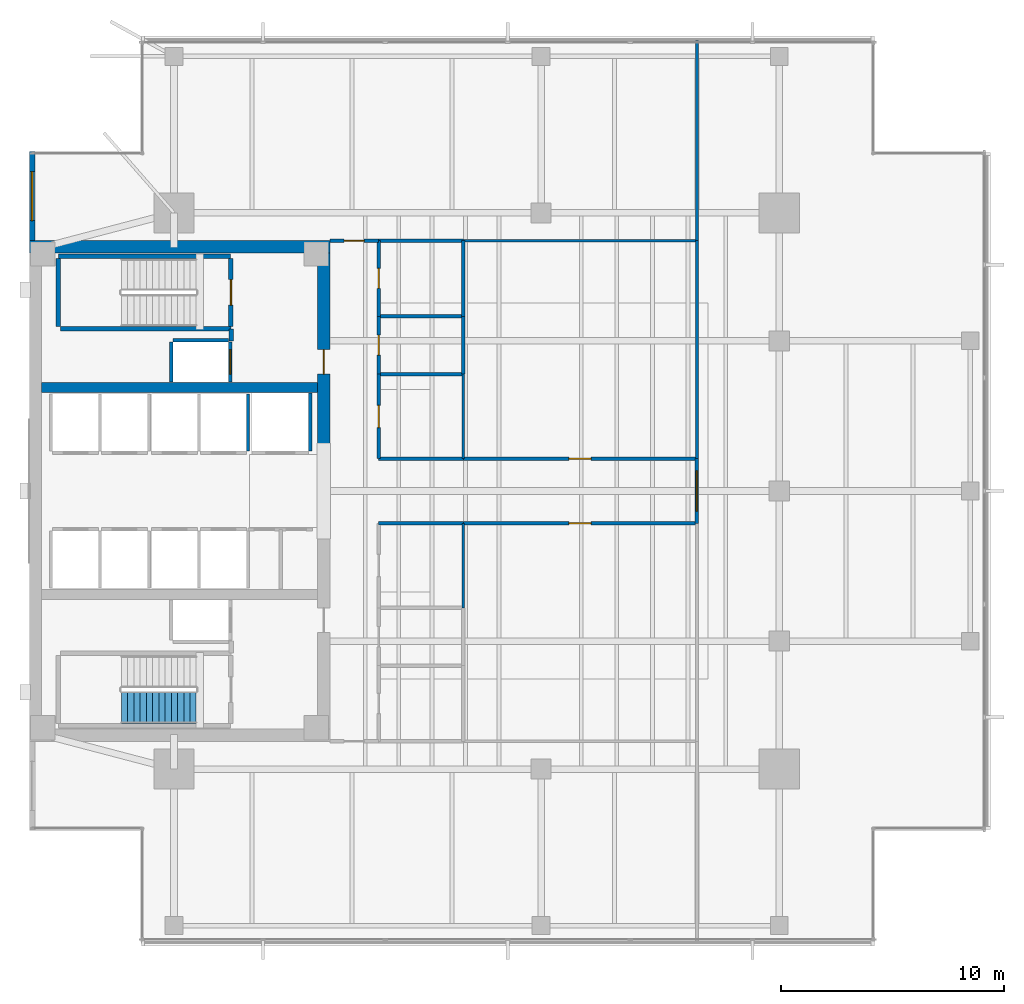
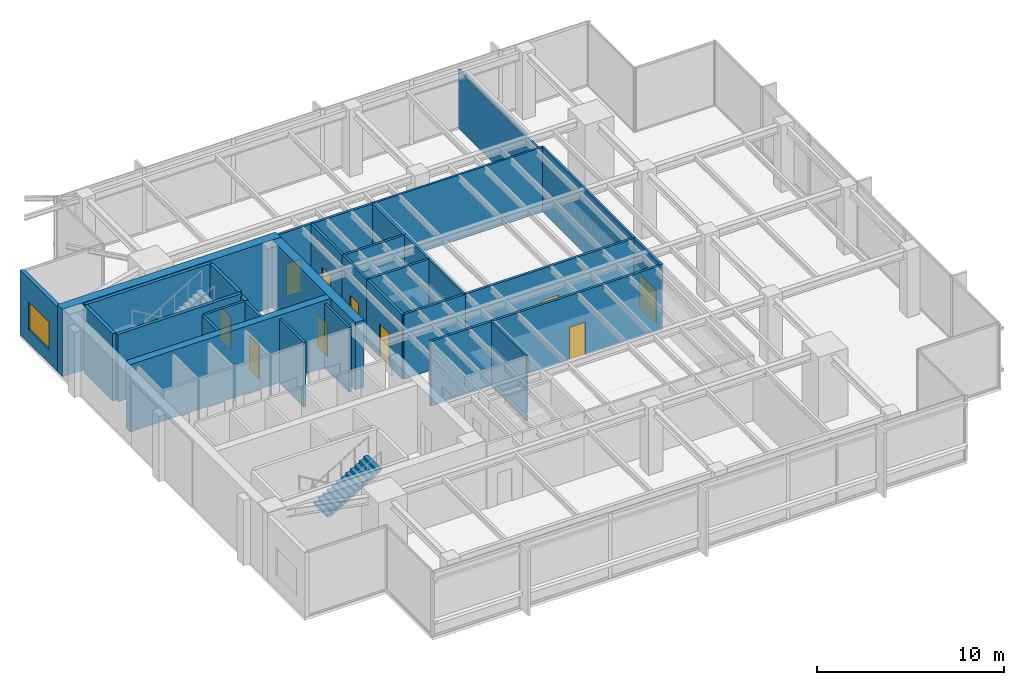
# One storey, part 9 of 14: 33 walls, 10 doors, 1 stair flight, 1 window, 11 openings, 1 element without a shape of its own.
"""IFC4 building model written with IfcOpenShell, lengths in metres."""

import ifcopenshell
import ifcopenshell.guid

model = None  # the IFC model being written
_history = None  # IfcOwnerHistory: only IFC2X3 demands one
_inside = {}  # id of a spatial element -> (the spatial element, [elements in it])
_under = {}  # id of a project, library or spatial element -> (it, [spatial elements below it])
_declared = {}  # id of a project -> (the project, [libraries it declares])
_typed = {}  # id of a type object -> (the type object, [elements of that type])
_made_of = {}  # id of a material, layer set ... -> (it, [elements and type objects made of it])


def new_model(schema):
    """Start an empty IFC model of exactly this schema.

    Asked for "IFC4X3", IfcOpenShell would pick the latest addendum, in which some entities
    have other attributes; the version numbers below select the first issue.
    IFC2X3 requires an IfcOwnerHistory on every rooted entity: one is made here for all.
    """
    global model, _history
    if schema == "IFC4X3":
        model = ifcopenshell.file(schema_version=(4, 3, 0, 0))
    else:
        model = ifcopenshell.file(schema=schema)
    _inside.clear()
    _under.clear()
    _declared.clear()
    _typed.clear()
    _made_of.clear()
    _history = None
    if model.schema == "IFC2X3":
        org = make("IfcOrganization", Name="unknown")
        user = make(
            "IfcPersonAndOrganization",
            ThePerson=make("IfcPerson", FamilyName="unknown"),
            TheOrganization=org,
        )
        app = make(
            "IfcApplication",
            ApplicationDeveloper=org,
            Version="unknown",
            ApplicationFullName="unknown",
            ApplicationIdentifier="unknown",
        )
        _history = make(
            "IfcOwnerHistory",
            OwningUser=user,
            OwningApplication=app,
            ChangeAction="ADDED",
            CreationDate=0,
        )
    return model


def make(cls, **values):
    """One entity of the class cls with the attributes given. An attribute that is None is left unset."""
    return model.create_entity(
        cls, **{name: value for name, value in values.items() if value is not None}
    )


def rooted(cls, **values):
    """An entity with a GlobalId (a new one), such as an element, a storey or a relation."""
    return make(cls, GlobalId=ifcopenshell.guid.new(), OwnerHistory=_history, **values)


def si_unit(unit_type, name, prefix=None):
    """IfcSIUnit, for example si_unit("LENGTHUNIT", "METRE", prefix="MILLI")."""
    return make("IfcSIUnit", UnitType=unit_type, Prefix=prefix, Name=name)


def assignment(units):
    """IfcUnitAssignment: the units of a project."""
    return None if units is None else make("IfcUnitAssignment", Units=units)


def point(xyz):
    """IfcCartesianPoint."""
    return None if xyz is None else make("IfcCartesianPoint", Coordinates=xyz)


def direction(xyz):
    """IfcDirection."""
    return None if xyz is None else make("IfcDirection", DirectionRatios=xyz)


def frame(location, z_axis=None, x_axis=None):
    """IfcAxis2Placement3D, a coordinate frame: its origin and axes. An axis left out is left unset."""
    return make(
        "IfcAxis2Placement3D",
        Location=point(location),
        Axis=direction(z_axis),
        RefDirection=direction(x_axis),
    )


def frame_2d(location, x_axis=None):
    """IfcAxis2Placement2D, a coordinate frame in the plane: its origin and x axis."""
    return make(
        "IfcAxis2Placement2D", Location=point(location), RefDirection=direction(x_axis)
    )


def origin():
    """The frame at (0, 0, 0) with its axes left unset."""
    return frame((0.0, 0.0, 0.0))


def place(relative_to, where):
    """IfcLocalPlacement: puts the frame where relative to a parent placement (None: the world)."""
    return make(
        "IfcLocalPlacement", PlacementRelTo=relative_to, RelativePlacement=where
    )


def context(
    kind, dimensions, precision=None, world=None, true_north=None, identifier=None
):
    """IfcGeometricRepresentationContext, for example the 3D "Model" context."""
    return make(
        "IfcGeometricRepresentationContext",
        ContextIdentifier=identifier,
        ContextType=kind,
        CoordinateSpaceDimension=dimensions,
        Precision=precision,
        WorldCoordinateSystem=world,
        TrueNorth=true_north,
    )


def subcontext(parent, identifier, kind, view, scale=None):
    """IfcGeometricRepresentationSubContext, for example "Body" below "Model"."""
    return make(
        "IfcGeometricRepresentationSubContext",
        ContextIdentifier=identifier,
        ContextType=kind,
        ParentContext=parent,
        TargetScale=scale,
        TargetView=view,
    )


def project(units=None, contexts=None):
    """IfcProject with its units and contexts."""
    return rooted(
        "IfcProject",
        Name="project",
        RepresentationContexts=contexts,
        UnitsInContext=assignment(units),
    )


def spatial(cls, under=None, at=None, **own):
    """A site, building, storey or space (cls), placed at a placement, below another one or the project."""
    s = rooted(cls, ObjectPlacement=at, **own)
    if under is not None:
        _under.setdefault(under.id(), (under, []))[1].append(s)
    return s


def polyline(points):
    """IfcPolyline through the points."""
    return make("IfcPolyline", Points=[point(p) for p in points])


def profile(cls, at=None, kind="AREA", **sizes):
    """A parametric profile (cls). Its sizes go by their IFC names, for example OverallWidth=200.0."""
    return make(cls, ProfileType=kind, Position=at, **sizes)


def rectangle(**sizes):
    """IfcRectangleProfileDef."""
    return profile("IfcRectangleProfileDef", **sizes)


def outline(outer, holes=None, kind="AREA"):
    """IfcArbitraryClosedProfileDef: a profile drawn as a closed curve; with holes, ...WithVoids."""
    if holes is None:
        return make("IfcArbitraryClosedProfileDef", ProfileType=kind, OuterCurve=outer)
    return make(
        "IfcArbitraryProfileDefWithVoids",
        ProfileType=kind,
        OuterCurve=outer,
        InnerCurves=holes,
    )


def extrude(swept, where, along, depth):
    """IfcExtrudedAreaSolid: the profile swept, set in the frame where, extruded along a direction by depth."""
    return make(
        "IfcExtrudedAreaSolid",
        SweptArea=swept,
        Position=where,
        ExtrudedDirection=direction(along),
        Depth=depth,
    )


def shape(context_of_items, identifier, shape_type, items):
    """IfcShapeRepresentation: the items that make up one representation, for example the "Body"."""
    return make(
        "IfcShapeRepresentation",
        ContextOfItems=context_of_items,
        RepresentationIdentifier=identifier,
        RepresentationType=shape_type,
        Items=items,
    )


def material(Name=None, Category=None):
    """IfcMaterial."""
    return make("IfcMaterial", Name=Name, Category=Category)


def layer(
    of_material, thickness, ventilated=None, Name=None, Category=None, Priority=None
):
    """IfcMaterialLayer: one layer of a wall or slab, of a material (None: an air gap)."""
    return make(
        "IfcMaterialLayer",
        Material=of_material,
        LayerThickness=thickness,
        IsVentilated=ventilated,
        Name=Name,
        Category=Category,
        Priority=Priority,
    )


def layer_set(layers, Name=None):
    """IfcMaterialLayerSet."""
    return make("IfcMaterialLayerSet", MaterialLayers=layers, LayerSetName=Name)


def made_of(thing, what):
    """Note that an element or type object is made of a material, layer set ...; save() writes the relation."""
    if what is not None:
        _made_of.setdefault(what.id(), (what, []))[1].append(thing)
    return thing


def type_object(cls, material=None, **own):
    """A type object (cls), such as IfcWallType, which elements share."""
    return made_of(rooted(cls, **own), material)


def element(
    cls,
    number,
    at=None,
    inside=None,
    cuts=None,
    type_object=None,
    material=None,
    context=None,
    identifier="Body",
    shape_type=None,
    held_by="IfcProductDefinitionShape",
    body=None,
    shapes=None,
    **own,
):
    """One element of the class cls, such as IfcWall. Its Tag is "e" and its number.

    at: its placement. inside: the storey or other place that contains it. cuts: it is an
    opening in that element (IfcRelVoidsElement). A single representation is given by context,
    identifier, shape_type and body (its items); several are given by shapes. held_by: the class
    of the entity that holds the representations. save() writes the other relations.
    """
    e = rooted(cls, Tag="e%d" % number, ObjectPlacement=at, **own)
    if body is not None:
        shapes = [shape(context, identifier, shape_type, body)]
    if shapes is not None:
        e.Representation = make(held_by, Representations=shapes)
    if inside is not None:
        _inside.setdefault(inside.id(), (inside, []))[1].append(e)
    if cuts is not None:
        rooted(
            "IfcRelVoidsElement", RelatingBuildingElement=cuts, RelatedOpeningElement=e
        )
    if type_object is not None:
        _typed.setdefault(type_object.id(), (type_object, []))[1].append(e)
    return made_of(e, material)


def fill(opening, filler):
    """IfcRelFillsElement: the door or window that sits in an opening."""
    return rooted(
        "IfcRelFillsElement",
        RelatingOpeningElement=opening,
        RelatedBuildingElement=filler,
    )


def aggregate(whole, parts):
    """IfcRelAggregates: a whole, such as a stair, and the parts it consists of."""
    return rooted("IfcRelAggregates", RelatingObject=whole, RelatedObjects=parts)


def save(model, path):
    """Write the relations noted so far, then the file.

    IfcRelAggregates (storeys below a building ...), IfcRelContainedInSpatialStructure (elements
    in a storey), IfcRelDefinesByType, IfcRelAssociatesMaterial and IfcRelDeclares: one each for
    every whole, place, type object, material and project.
    """
    for whole, parts in _under.values():
        aggregate(whole, parts)
    for where, things in _inside.values():
        rooted(
            "IfcRelContainedInSpatialStructure",
            RelatedElements=things,
            RelatingStructure=where,
        )
    for kind, things in _typed.values():
        rooted("IfcRelDefinesByType", RelatedObjects=things, RelatingType=kind)
    for what, things in _made_of.values():
        rooted("IfcRelAssociatesMaterial", RelatedObjects=things, RelatingMaterial=what)
    for by, libraries in _declared.values():
        rooted("IfcRelDeclares", RelatingContext=by, RelatedDefinitions=libraries)
    model.write(path)


model = new_model("IFC4")

# Units and contexts
model_context = context("Model", 3, precision=1e-05, world=origin(), true_north=direction((0.0, 1.0)))
body_context = subcontext(model_context, "Body", "Model", "MODEL_VIEW")
ifc_project = project(units=[si_unit("LENGTHUNIT", "METRE"), si_unit("AREAUNIT", "SQUARE_METRE"), si_unit("VOLUMEUNIT", "CUBIC_METRE"), si_unit("PLANEANGLEUNIT", "RADIAN"), si_unit("MASSUNIT", "GRAM", prefix="KILO")], contexts=[model_context])

# Site, building, storey
site_placement = place(None, origin())
site = spatial("IfcSite", under=ifc_project, at=site_placement, CompositionType="ELEMENT")
building_placement = place(site_placement, origin())
building = spatial("IfcBuilding", under=site, at=building_placement, Name="Kinhvarn Gate Tower", CompositionType="ELEMENT")
storey_placement = place(building_placement, frame((0.0, 0.0, 183.64990234375)))
storey = spatial("IfcBuildingStorey", under=building, at=storey_placement, Name="L48", CompositionType="ELEMENT", Elevation=183.64990234375)

# Walls
ifc_material_1 = material(Name="Concrete C50/60", Category="concrete")
ifc_layer_1 = layer(ifc_material_1, 0.449951171875)
ifc_layer_set_1 = layer_set([ifc_layer_1], Name="Concrete C50/60")
wall_type_1 = type_object("IfcWallType", Name="WL-CORE-450", PredefinedType="SHEAR", material=ifc_layer_set_1)
wall_1_placement = place(storey_placement, frame((5.050048828125, 29.89990234375, 0.0), z_axis=(0.0, 0.0, 1.0), x_axis=(1.0, 0.0, 0.0)))
element("IfcWall", 1, at=wall_1_placement, inside=storey, type_object=wall_type_1, Name="Core North Spine Shear Wall L48 450 mm", PredefinedType="SHEAR", context=body_context, shape_type="SweptSolid", body=[
    extrude(rectangle(XDim=12.39990234375, YDim=0.449951171875, at=frame_2d((6.199951171875, 0.0))), origin(), (0.0, 0.0, 1.0), 4.400146484375),
])
ifc_material_2 = material(Name="Concrete C60/75", Category="concrete")
ifc_layer_2 = layer(ifc_material_2, 0.550048828125)
ifc_layer_set_2 = layer_set([ifc_layer_2], Name="Concrete C60/75")
wall_type_2 = type_object("IfcWallType", Name="WL-CORE-550", PredefinedType="SHEAR", material=ifc_layer_set_2)
wall_2_placement = place(storey_placement, frame((4.5, 36.22509765625, 0.0), z_axis=(0.0, 0.0, 1.0), x_axis=(1.0, 0.0, 0.0)))
element("IfcWall", 2, at=wall_2_placement, inside=storey, type_object=wall_type_2, Name="Core North Shear Wall L48 550 mm", PredefinedType="SHEAR", context=body_context, shape_type="SweptSolid", body=[
    extrude(rectangle(XDim=13.5, YDim=0.550048828125, at=frame_2d((6.75, 0.0))), origin(), (0.0, 0.0, 1.0), 4.400146484375),
])

# Wall, opening, door
wall_3_placement = place(storey_placement, frame((17.72509765625, 27.050048828125, 0.0), z_axis=(0.0, 0.0, 1.0), x_axis=(0.0, 1.0, 0.0)))
wall_3 = element("IfcWall", 3, at=wall_3_placement, inside=storey, type_object=wall_type_2, Name="Core East-North Shear Pier L48 550 mm", PredefinedType="SHEAR", context=body_context, shape_type="SweptSolid", body=[
    extrude(rectangle(XDim=8.89990234375, YDim=0.550048828125, at=frame_2d((4.449951171875, 0.0))), origin(), (0.0, 0.0, 1.0), 4.400146484375),
])
opening_1_placement = place(wall_3_placement, frame((3.449951171875, 0.0, 0.0)))
opening_1 = element("IfcOpeningElement", 4, at=opening_1_placement, cuts=wall_3, Name="Opening FD-02", PredefinedType="OPENING", context=body_context, shape_type="SweptSolid", body=[
    extrude(rectangle(XDim=1.10009765625, YDim=2.14990234375, at=frame_2d((0.550048828125, 1.074951171875))), frame((0.0, 0.28515625, 0.0), z_axis=(0.0, -1.0, 0.0), x_axis=(1.0, 0.0, 0.0)), (0.0, 0.0, 1.0), 0.570068359375),
])
ifc_material_3 = material(Name="Anodised aluminium AW-6063", Category="aluminium")
door_type_1 = type_object("IfcDoorType", Name="DR-FD-1100", OperationType="NOTDEFINED", PredefinedType="DOOR", material=ifc_material_3)
door_1_placement = place(opening_1_placement, origin())
door_1 = element("IfcDoor", 5, at=door_1_placement, inside=storey, type_object=door_type_1, Name="Firefighting Lobby Core Door (L48)", OperationType="SINGLE_SWING_LEFT", OverallHeight=2.14990234375, OverallWidth=1.10009765625, PredefinedType="DOOR", context=body_context, shape_type="SweptSolid", body=[
    extrude(rectangle(XDim=1.10009765625, YDim=2.14990234375, at=frame_2d((0.550048828125, 1.074951171875))), frame((0.0, 0.02490234375, 0.0), z_axis=(0.0, -1.0, 0.0), x_axis=(1.0, 0.0, 0.0)), (0.0, 0.0, 1.0), 0.050048828125),
])
fill(opening_1, door_1)

# Wall, opening, window
ifc_material_4 = material(Name="Fired architectural terracotta", Category="masonry")
ifc_layer_3 = layer(ifc_material_4, 0.25)
ifc_layer_set_3 = layer_set([ifc_layer_3], Name="Fired architectural terracotta")
wall_type_3 = type_object("IfcWallType", Name="WL-EXT-250", PredefinedType="SOLIDWALL", material=ifc_layer_set_3)
wall_4_placement = place(storey_placement, frame((4.625, 40.5, 0.0), z_axis=(0.0, 0.0, 1.0), x_axis=(0.0, -1.0, 0.0)))
wall_4 = element("IfcWall", 6, at=wall_4_placement, inside=storey, type_object=wall_type_3, Name="Exterior Solidwall Wall EW-250 (L48 West-North)", PredefinedType="SOLIDWALL", context=body_context, shape_type="SweptSolid", body=[
    extrude(rectangle(XDim=4.0, YDim=0.25, at=frame_2d((2.0, 0.0))), origin(), (0.0, 0.0, 1.0), 4.22021484375),
])
opening_2_placement = place(wall_4_placement, frame((0.89990234375, 0.0, 0.89990234375)))
opening_2 = element("IfcOpeningElement", 7, at=opening_2_placement, cuts=wall_4, Name="Opening WN-01", PredefinedType="OPENING", context=body_context, shape_type="SweptSolid", body=[
    extrude(rectangle(XDim=2.199951171875, YDim=1.800048828125, at=frame_2d((1.10009765625, 0.89990234375))), frame((0.0, 0.135009765625, 0.0), z_axis=(0.0, -1.0, 0.0), x_axis=(1.0, 0.0, 0.0)), (0.0, 0.0, 1.0), 0.27001953125),
])
ifc_material_5 = material(Name="Clear low-e double glazing", Category="glass")
window_type = type_object("IfcWindowType", Name="WIN-RIB-2200", PartitioningType="SINGLE_PANEL", PredefinedType="WINDOW", material=ifc_material_5)
window_placement = place(opening_2_placement, origin())
window = element("IfcWindow", 8, at=window_placement, inside=storey, type_object=window_type, Name="West Flank Double-Glazed Ribbon Window 2200x1800 mm (L48)", OverallHeight=1.800048828125, OverallWidth=2.199951171875, PartitioningType="SINGLE_PANEL", PredefinedType="WINDOW", context=body_context, shape_type="SweptSolid", body=[
    extrude(rectangle(XDim=2.199951171875, YDim=1.800048828125, at=frame_2d((1.10009765625, 0.89990234375))), frame((0.0, 0.030029296875, 0.0), z_axis=(0.0, -1.0, 0.0), x_axis=(1.0, 0.0, 0.0)), (0.0, 0.0, 1.0), 0.06005859375),
])
fill(opening_2, window)

# Walls
ifc_material_6 = material(Name="Gypsum acoustic partition board")
ifc_layer_4 = layer(ifc_material_6, 0.14990234375)
ifc_layer_set_4 = layer_set([ifc_layer_4], Name="Gypsum acoustic partition board")
wall_type_4 = type_object("IfcWallType", Name="WL-PLM-150", PredefinedType="PLUMBINGWALL", material=ifc_layer_set_4)
for number, where, z_axis, x_axis, name in (
    (9, (20.199951171875, 33.10009765625, 0.0), (0.0, 0.0, 1.0), (1.0, 0.0, 0.0), "Interior Partition PLW-150 (L48)"),
    (10, (20.199951171875, 36.5, 0.0), (0.0, 0.0, 1.0), (1.0, 0.0, 0.0), "Interior Partition PLW-150 (L48)"),
):
    element("IfcWall", number, at=place(storey_placement, frame(where, z_axis=z_axis, x_axis=x_axis)), inside=storey, type_object=wall_type_4, Name=name, PredefinedType="PLUMBINGWALL", context=body_context, shape_type="SweptSolid", body=[
        extrude(rectangle(XDim=3.800048828125, YDim=0.14990234375, at=frame_2d((1.89990234375, 0.0))), origin(), (0.0, 0.0, 1.0), 4.22021484375),
    ])
wall_5_placement = place(storey_placement, frame((24.0, 33.10009765625, 0.0), z_axis=(0.0, 0.0, 1.0), x_axis=(0.0, 1.0, 0.0)))
element("IfcWall", 11, at=wall_5_placement, inside=storey, type_object=wall_type_4, Name="Interior Partition PLW-150 (L48)", PredefinedType="PLUMBINGWALL", context=body_context, shape_type="SweptSolid", body=[
    extrude(rectangle(XDim=3.39990234375, YDim=0.14990234375, at=frame_2d((1.699951171875, 0.0))), origin(), (0.0, 0.0, 1.0), 4.22021484375),
])
wall_6_placement = place(storey_placement, frame((24.0, 30.5, 0.0), z_axis=(0.0, 0.0, 1.0), x_axis=(0.0, 1.0, 0.0)))
element("IfcWall", 12, at=wall_6_placement, inside=storey, type_object=wall_type_4, Name="Interior Partition PLW-150 (L48)", PredefinedType="PLUMBINGWALL", context=body_context, shape_type="SweptSolid", body=[
    extrude(rectangle(XDim=2.60009765625, YDim=0.14990234375, at=frame_2d((1.300048828125, 0.0))), origin(), (0.0, 0.0, 1.0), 4.22021484375),
])
wall_7_placement = place(storey_placement, frame((20.199951171875, 30.5, 0.0), z_axis=(0.0, 0.0, 1.0), x_axis=(1.0, 0.0, 0.0)))
element("IfcWall", 13, at=wall_7_placement, inside=storey, type_object=wall_type_4, Name="Interior Partition PLW-150 (L48)", PredefinedType="PLUMBINGWALL", context=body_context, shape_type="SweptSolid", body=[
    extrude(rectangle(XDim=3.800048828125, YDim=0.14990234375, at=frame_2d((1.89990234375, 0.0))), origin(), (0.0, 0.0, 1.0), 4.22021484375),
])

# Wall, opening, door
ifc_layer_5 = layer(ifc_material_6, 0.14990234375)
ifc_layer_set_5 = layer_set([ifc_layer_5], Name="Gypsum acoustic partition board")
wall_type_5 = type_object("IfcWallType", Name="WL-PLM-150F", PredefinedType="PLUMBINGWALL", material=ifc_layer_set_5)
wall_8_placement = place(storey_placement, frame((20.199951171875, 33.10009765625, 0.0), z_axis=(0.0, 0.0, 1.0), x_axis=(0.0, 1.0, 0.0)))
wall_8 = element("IfcWall", 14, at=wall_8_placement, inside=storey, type_object=wall_type_5, Name="Interior Partition PLW-150F (L48)", PredefinedType="PLUMBINGWALL", context=body_context, shape_type="SweptSolid", body=[
    extrude(rectangle(XDim=3.39990234375, YDim=0.14990234375, at=frame_2d((1.699951171875, 0.0))), origin(), (0.0, 0.0, 1.0), 4.22021484375),
])
opening_3_placement = place(wall_8_placement, frame((1.25, 0.0, 0.0)))
opening_3 = element("IfcOpeningElement", 15, at=opening_3_placement, cuts=wall_8, Name="Opening FD-04", PredefinedType="OPENING", context=body_context, shape_type="SweptSolid", body=[
    extrude(rectangle(XDim=0.89990234375, YDim=2.10009765625, at=frame_2d((0.449951171875, 1.050048828125))), frame((0.0, 0.0849609375, 0.0), z_axis=(0.0, -1.0, 0.0), x_axis=(1.0, 0.0, 0.0)), (0.0, 0.0, 1.0), 0.169921875),
])
door_type_2 = type_object("IfcDoorType", Name="DR-FD-900", OperationType="NOTDEFINED", PredefinedType="DOOR", material=ifc_material_3)
door_2_placement = place(opening_3_placement, origin())
door_2 = element("IfcDoor", 16, at=door_2_placement, inside=storey, type_object=door_type_2, Name="Rated Riser & Service Closet Fire Door 900x2100 mm (L48)", OperationType="SINGLE_SWING_RIGHT", OverallHeight=2.10009765625, OverallWidth=0.89990234375, PredefinedType="DOOR", context=body_context, shape_type="SweptSolid", body=[
    extrude(rectangle(XDim=0.89990234375, YDim=2.10009765625, at=frame_2d((0.449951171875, 1.050048828125))), frame((0.0, 0.02490234375, 0.0), z_axis=(0.0, -1.0, 0.0), x_axis=(1.0, 0.0, 0.0)), (0.0, 0.0, 1.0), 0.050048828125),
])
fill(opening_3, door_2)

wall_9_placement = place(storey_placement, frame((20.199951171875, 30.5, 0.0), z_axis=(0.0, 0.0, 1.0), x_axis=(0.0, 1.0, 0.0)))
wall_9 = element("IfcWall", 17, at=wall_9_placement, inside=storey, type_object=wall_type_5, Name="Interior Partition PLW-150F (L48)", PredefinedType="PLUMBINGWALL", context=body_context, shape_type="SweptSolid", body=[
    extrude(rectangle(XDim=2.60009765625, YDim=0.14990234375, at=frame_2d((1.300048828125, 0.0))), origin(), (0.0, 0.0, 1.0), 4.22021484375),
])
opening_4_placement = place(wall_9_placement, frame((0.85009765625, 0.0, 0.0)))
opening_4 = element("IfcOpeningElement", 18, at=opening_4_placement, cuts=wall_9, Name="Opening FD-04", PredefinedType="OPENING", context=body_context, shape_type="SweptSolid", body=[
    extrude(rectangle(XDim=0.89990234375, YDim=2.10009765625, at=frame_2d((0.449951171875, 1.050048828125))), frame((0.0, 0.0849609375, 0.0), z_axis=(0.0, -1.0, 0.0), x_axis=(1.0, 0.0, 0.0)), (0.0, 0.0, 1.0), 0.169921875),
])
door_3_placement = place(opening_4_placement, origin())
door_3 = element("IfcDoor", 19, at=door_3_placement, inside=storey, type_object=door_type_2, Name="Rated Riser & Service Closet Fire Door 900x2100 mm (L48)", OperationType="SINGLE_SWING_RIGHT", OverallHeight=2.10009765625, OverallWidth=0.89990234375, PredefinedType="DOOR", context=body_context, shape_type="SweptSolid", body=[
    extrude(rectangle(XDim=0.89990234375, YDim=2.10009765625, at=frame_2d((0.449951171875, 1.050048828125))), frame((0.0, 0.02490234375, 0.0), z_axis=(0.0, -1.0, 0.0), x_axis=(1.0, 0.0, 0.0)), (0.0, 0.0, 1.0), 0.050048828125),
])
fill(opening_4, door_3)

# Walls
ifc_layer_6 = layer(ifc_material_6, 0.1201171875)
ifc_layer_set_6 = layer_set([ifc_layer_6], Name="Gypsum acoustic partition board")
wall_type_6 = type_object("IfcWallType", Name="WL-PRT-120", PredefinedType="PARTITIONING", material=ifc_layer_set_6)
wall_10_placement = place(storey_placement, frame((24.0, 36.5, 0.0), z_axis=(0.0, 0.0, 1.0), x_axis=(1.0, 0.0, 0.0)))
element("IfcWall", 20, at=wall_10_placement, inside=storey, type_object=wall_type_6, Name="Interior Partition PW-120 (L48)", PredefinedType="PARTITIONING", context=body_context, shape_type="SweptSolid", body=[
    extrude(rectangle(XDim=10.5, YDim=0.1201171875, at=frame_2d((5.25, 0.0))), origin(), (0.0, 0.0, 1.0), 4.22021484375),
])
wall_11_placement = place(storey_placement, frame((34.5, 36.5, 0.0), z_axis=(0.0, 0.0, 1.0), x_axis=(0.0, 1.0, 0.0)))
element("IfcWall", 21, at=wall_11_placement, inside=storey, type_object=wall_type_6, Name="Interior Partition PW-120 (L48)", PredefinedType="PARTITIONING", context=body_context, shape_type="SweptSolid", body=[
    extrude(rectangle(XDim=8.989990234375, YDim=0.1201171875, at=frame_2d((4.4951171875, 0.0))), origin(), (0.0, 0.0, 1.0), 3.860107421875),
])
wall_12_placement = place(storey_placement, frame((24.0, 20.0, 0.0), z_axis=(0.0, 0.0, 1.0), x_axis=(0.0, 1.0, 0.0)))
element("IfcWall", 22, at=wall_12_placement, inside=storey, type_object=wall_type_6, Name="Interior Partition PW-120 (L48)", PredefinedType="PARTITIONING", context=body_context, shape_type="SweptSolid", body=[
    extrude(rectangle(XDim=3.800048828125, YDim=0.1201171875, at=frame_2d((1.89990234375, 0.0))), origin(), (0.0, 0.0, 1.0), 4.22021484375),
])
wall_13_placement = place(storey_placement, frame((34.5, 26.699951171875, 0.0), z_axis=(0.0, 0.0, 1.0), x_axis=(0.0, 1.0, 0.0)))
element("IfcWall", 23, at=wall_13_placement, inside=storey, type_object=wall_type_6, Name="Interior Partition PW-120 (L48)", PredefinedType="PARTITIONING", context=body_context, shape_type="SweptSolid", body=[
    extrude(rectangle(XDim=9.800048828125, YDim=0.1201171875, at=frame_2d((4.89990234375, 0.0))), origin(), (0.0, 0.0, 1.0), 4.22021484375),
])
wall_14_placement = place(storey_placement, frame((24.0, 26.699951171875, 0.0), z_axis=(0.0, 0.0, 1.0), x_axis=(0.0, 1.0, 0.0)))
element("IfcWall", 24, at=wall_14_placement, inside=storey, type_object=wall_type_6, Name="Interior Partition PW-120 (L48)", PredefinedType="PARTITIONING", context=body_context, shape_type="SweptSolid", body=[
    extrude(rectangle(XDim=3.800048828125, YDim=0.1201171875, at=frame_2d((1.89990234375, 0.0))), origin(), (0.0, 0.0, 1.0), 4.22021484375),
])

# Wall, opening, door
ifc_layer_7 = layer(ifc_material_6, 0.14990234375)
ifc_layer_set_7 = layer_set([ifc_layer_7], Name="Gypsum acoustic partition board")
wall_type_7 = type_object("IfcWallType", Name="WL-PRT-150F", PredefinedType="PARTITIONING", material=ifc_layer_set_7)
wall_15_placement = place(storey_placement, frame((18.0, 36.5, 0.0), z_axis=(0.0, 0.0, 1.0), x_axis=(1.0, 0.0, 0.0)))
wall_15 = element("IfcWall", 25, at=wall_15_placement, inside=storey, type_object=wall_type_7, Name="Interior Partition PW-150F (L48)", PredefinedType="PARTITIONING", context=body_context, shape_type="SweptSolid", body=[
    extrude(rectangle(XDim=2.199951171875, YDim=0.14990234375, at=frame_2d((1.10009765625, 0.0))), origin(), (0.0, 0.0, 1.0), 4.22021484375),
])
opening_5_placement = place(wall_15_placement, frame((0.64990234375, 0.0, 0.0)))
opening_5 = element("IfcOpeningElement", 26, at=opening_5_placement, cuts=wall_15, Name="Opening ID-03", PredefinedType="OPENING", context=body_context, shape_type="SweptSolid", body=[
    extrude(rectangle(XDim=0.89990234375, YDim=2.10009765625, at=frame_2d((0.449951171875, 1.050048828125))), frame((0.0, 0.0849609375, 0.0), z_axis=(0.0, -1.0, 0.0), x_axis=(1.0, 0.0, 0.0)), (0.0, 0.0, 1.0), 0.169921875),
])
door_type_3 = type_object("IfcDoorType", Name="DR-INT-900", OperationType="NOTDEFINED", PredefinedType="DOOR", material=ifc_material_3)
door_4_placement = place(opening_5_placement, origin())
door_4 = element("IfcDoor", 27, at=door_4_placement, inside=storey, type_object=door_type_3, Name="Cellular Office & Restroom Door 900x2100 mm (L48)", OperationType="SINGLE_SWING_RIGHT", OverallHeight=2.10009765625, OverallWidth=0.89990234375, PredefinedType="DOOR", context=body_context, shape_type="SweptSolid", body=[
    extrude(rectangle(XDim=0.89990234375, YDim=2.10009765625, at=frame_2d((0.449951171875, 1.050048828125))), frame((0.0, 0.02490234375, 0.0), z_axis=(0.0, -1.0, 0.0), x_axis=(1.0, 0.0, 0.0)), (0.0, 0.0, 1.0), 0.050048828125),
])
fill(opening_5, door_4)

wall_16_placement = place(storey_placement, frame((20.199951171875, 26.699951171875, 0.0), z_axis=(0.0, 0.0, 1.0), x_axis=(0.0, 1.0, 0.0)))
wall_16 = element("IfcWall", 28, at=wall_16_placement, inside=storey, type_object=wall_type_7, Name="Interior Partition PW-150F (L48)", PredefinedType="PARTITIONING", context=body_context, shape_type="SweptSolid", body=[
    extrude(rectangle(XDim=3.800048828125, YDim=0.14990234375, at=frame_2d((1.89990234375, 0.0))), origin(), (0.0, 0.0, 1.0), 4.22021484375),
])
opening_6_placement = place(wall_16_placement, frame((1.39990234375, 0.0, 0.0)))
opening_6 = element("IfcOpeningElement", 29, at=opening_6_placement, cuts=wall_16, Name="Opening ID-02", PredefinedType="OPENING", context=body_context, shape_type="SweptSolid", body=[
    extrude(rectangle(XDim=1.0, YDim=2.14990234375, at=frame_2d((0.5, 1.074951171875))), frame((0.0, 0.0849609375, 0.0), z_axis=(0.0, -1.0, 0.0), x_axis=(1.0, 0.0, 0.0)), (0.0, 0.0, 1.0), 0.169921875),
])
door_type_4 = type_object("IfcDoorType", Name="DR-INT-1000", OperationType="NOTDEFINED", PredefinedType="DOOR", material=ifc_material_3)
door_5_placement = place(opening_6_placement, origin())
door_5 = element("IfcDoor", 30, at=door_5_placement, inside=storey, type_object=door_type_4, Name="Standard Office & Meeting Room Door 1000x2150 mm (L48)", OperationType="SINGLE_SWING_RIGHT", OverallHeight=2.14990234375, OverallWidth=1.0, PredefinedType="DOOR", context=body_context, shape_type="SweptSolid", body=[
    extrude(rectangle(XDim=1.0, YDim=2.14990234375, at=frame_2d((0.5, 1.074951171875))), frame((0.0, 0.02490234375, 0.0), z_axis=(0.0, -1.0, 0.0), x_axis=(1.0, 0.0, 0.0)), (0.0, 0.0, 1.0), 0.050048828125),
])
fill(opening_6, door_5)

wall_17_placement = place(storey_placement, frame((24.0, 23.800048828125, 0.0), z_axis=(0.0, 0.0, 1.0), x_axis=(1.0, 0.0, 0.0)))
wall_17 = element("IfcWall", 31, at=wall_17_placement, inside=storey, type_object=wall_type_7, Name="Interior Partition PW-150F (L48)", PredefinedType="PARTITIONING", context=body_context, shape_type="SweptSolid", body=[
    extrude(rectangle(XDim=10.5, YDim=0.14990234375, at=frame_2d((5.25, 0.0))), origin(), (0.0, 0.0, 1.0), 4.22021484375),
])
opening_7_placement = place(wall_17_placement, frame((4.75, 0.0, 0.0)))
opening_7 = element("IfcOpeningElement", 32, at=opening_7_placement, cuts=wall_17, Name="Opening ID-02", PredefinedType="OPENING", context=body_context, shape_type="SweptSolid", body=[
    extrude(rectangle(XDim=1.0, YDim=2.14990234375, at=frame_2d((0.5, 1.074951171875))), frame((0.0, 0.0849609375, 0.0), z_axis=(0.0, -1.0, 0.0), x_axis=(1.0, 0.0, 0.0)), (0.0, 0.0, 1.0), 0.169921875),
])
door_6_placement = place(opening_7_placement, origin())
door_6 = element("IfcDoor", 33, at=door_6_placement, inside=storey, type_object=door_type_4, Name="Standard Office & Meeting Room Door 1000x2150 mm (L48)", OperationType="SINGLE_SWING_LEFT", OverallHeight=2.14990234375, OverallWidth=1.0, PredefinedType="DOOR", context=body_context, shape_type="SweptSolid", body=[
    extrude(rectangle(XDim=1.0, YDim=2.14990234375, at=frame_2d((0.5, 1.074951171875))), frame((0.0, 0.02490234375, 0.0), z_axis=(0.0, -1.0, 0.0), x_axis=(1.0, 0.0, 0.0)), (0.0, 0.0, 1.0), 0.050048828125),
])
fill(opening_7, door_6)

wall_18_placement = place(storey_placement, frame((24.0, 26.699951171875, 0.0), z_axis=(0.0, 0.0, 1.0), x_axis=(1.0, 0.0, 0.0)))
wall_18 = element("IfcWall", 34, at=wall_18_placement, inside=storey, type_object=wall_type_7, Name="Interior Partition PW-150F (L48)", PredefinedType="PARTITIONING", context=body_context, shape_type="SweptSolid", body=[
    extrude(rectangle(XDim=10.5, YDim=0.14990234375, at=frame_2d((5.25, 0.0))), origin(), (0.0, 0.0, 1.0), 4.22021484375),
])
opening_8_placement = place(wall_18_placement, frame((4.75, 0.0, 0.0)))
opening_8 = element("IfcOpeningElement", 35, at=opening_8_placement, cuts=wall_18, Name="Opening ID-02", PredefinedType="OPENING", context=body_context, shape_type="SweptSolid", body=[
    extrude(rectangle(XDim=1.0, YDim=2.14990234375, at=frame_2d((0.5, 1.074951171875))), frame((0.0, 0.0849609375, 0.0), z_axis=(0.0, -1.0, 0.0), x_axis=(1.0, 0.0, 0.0)), (0.0, 0.0, 1.0), 0.169921875),
])
door_7_placement = place(opening_8_placement, origin())
door_7 = element("IfcDoor", 36, at=door_7_placement, inside=storey, type_object=door_type_4, Name="Standard Office & Meeting Room Door 1000x2150 mm (L48)", OperationType="SINGLE_SWING_RIGHT", OverallHeight=2.14990234375, OverallWidth=1.0, PredefinedType="DOOR", context=body_context, shape_type="SweptSolid", body=[
    extrude(rectangle(XDim=1.0, YDim=2.14990234375, at=frame_2d((0.5, 1.074951171875))), frame((0.0, 0.02490234375, 0.0), z_axis=(0.0, -1.0, 0.0), x_axis=(1.0, 0.0, 0.0)), (0.0, 0.0, 1.0), 0.050048828125),
])
fill(opening_8, door_7)

wall_19_placement = place(storey_placement, frame((34.5, 23.800048828125, 0.0), z_axis=(0.0, 0.0, 1.0), x_axis=(0.0, 1.0, 0.0)))
wall_19 = element("IfcWall", 37, at=wall_19_placement, inside=storey, type_object=wall_type_7, Name="Interior Partition PW-150F (L48)", PredefinedType="PARTITIONING", context=body_context, shape_type="SweptSolid", body=[
    extrude(rectangle(XDim=2.89990234375, YDim=0.14990234375, at=frame_2d((1.449951171875, 0.0))), origin(), (0.0, 0.0, 1.0), 4.22021484375),
])
opening_9_placement = place(wall_19_placement, frame((0.550048828125, 0.0, 0.0)))
opening_9 = element("IfcOpeningElement", 38, at=opening_9_placement, cuts=wall_19, Name="Opening ID-04", PredefinedType="OPENING", context=body_context, shape_type="SweptSolid", body=[
    extrude(rectangle(XDim=1.800048828125, YDim=2.199951171875, at=frame_2d((0.89990234375, 1.10009765625))), frame((0.0, 0.0849609375, 0.0), z_axis=(0.0, -1.0, 0.0), x_axis=(1.0, 0.0, 0.0)), (0.0, 0.0, 1.0), 0.169921875),
])
door_type_5 = type_object("IfcDoorType", Name="DR-GLZ-1800", OperationType="NOTDEFINED", PredefinedType="DOOR", material=ifc_material_5)
door_8_placement = place(opening_9_placement, origin())
door_8 = element("IfcDoor", 39, at=door_8_placement, inside=storey, type_object=door_type_5, Name="Double Glazed Forum & Sky-Lobby Door 1800x2200 mm (L48)", OperationType="DOUBLE_DOOR_SINGLE_SWING", OverallHeight=2.199951171875, OverallWidth=1.800048828125, PredefinedType="DOOR", context=body_context, shape_type="SweptSolid", body=[
    extrude(rectangle(XDim=1.800048828125, YDim=2.199951171875, at=frame_2d((0.89990234375, 1.10009765625))), frame((0.0, 0.02490234375, 0.0), z_axis=(0.0, -1.0, 0.0), x_axis=(1.0, 0.0, 0.0)), (0.0, 0.0, 1.0), 0.050048828125),
])
fill(opening_9, door_8)

# Walls
for number, where, z_axis, x_axis, name in (
    (40, (20.199951171875, 23.800048828125, 0.0), (0.0, 0.0, 1.0), (1.0, 0.0, 0.0), "Interior Partition PW-150F (L48)"),
    (41, (20.199951171875, 26.699951171875, 0.0), (0.0, 0.0, 1.0), (1.0, 0.0, 0.0), "Interior Partition PW-150F (L48)"),
):
    element("IfcWall", number, at=place(storey_placement, frame(where, z_axis=z_axis, x_axis=x_axis)), inside=storey, type_object=wall_type_7, Name=name, PredefinedType="PARTITIONING", context=body_context, shape_type="SweptSolid", body=[
        extrude(rectangle(XDim=3.800048828125, YDim=0.14990234375, at=frame_2d((1.89990234375, 0.0))), origin(), (0.0, 0.0, 1.0), 4.22021484375),
    ])
ifc_layer_8 = layer(ifc_material_6, 0.199951171875)
ifc_layer_set_8 = layer_set([ifc_layer_8], Name="Gypsum acoustic partition board")
wall_type_8 = type_object("IfcWallType", Name="WL-PRT-200", PredefinedType="PARTITIONING", material=ifc_layer_set_8)
wall_20_placement = place(storey_placement, frame((13.580078125, 32.0, 0.0), z_axis=(0.0, 0.0, 1.0), x_axis=(0.0, 1.0, 0.0)))
element("IfcWall", 42, at=wall_20_placement, inside=storey, type_object=wall_type_8, Name="Interior Partition PW-200 (L48)", PredefinedType="PARTITIONING", context=body_context, shape_type="SweptSolid", body=[
    extrude(rectangle(XDim=0.5400390625, YDim=0.199951171875, at=frame_2d((0.27001953125, 0.0))), origin(), (0.0, 0.0, 1.0), 4.22021484375),
])
ifc_layer_9 = layer(ifc_material_6, 0.14990234375)
ifc_layer_set_9 = layer_set([ifc_layer_9], Name="Gypsum acoustic partition board")
wall_type_9 = type_object("IfcWallType", Name="WL-SHF-150", PredefinedType="PARTITIONING", material=ifc_layer_set_9)
wall_21_placement = place(storey_placement, frame((14.324951171875, 27.050048828125, 0.0), z_axis=(0.0, 0.0, 1.0), x_axis=(0.0, 1.0, 0.0)))
element("IfcWall", 43, at=wall_21_placement, inside=storey, type_object=wall_type_9, Name="Elevator PH-12 Hoistway Wall E (L48)", PredefinedType="PARTITIONING", context=body_context, shape_type="SweptSolid", body=[
    extrude(rectangle(XDim=2.550048828125, YDim=0.14990234375, at=frame_2d((1.27490234375, 0.0))), origin(), (0.0, 0.0, 1.0), 4.22021484375),
])
wall_22_placement = place(storey_placement, frame((17.125, 27.050048828125, 0.0), z_axis=(0.0, 0.0, 1.0), x_axis=(0.0, 1.0, 0.0)))
element("IfcWall", 44, at=wall_22_placement, inside=storey, type_object=wall_type_9, Name="Elevator SV-01 Hoistway Wall E (L48)", PredefinedType="PARTITIONING", context=body_context, shape_type="SweptSolid", body=[
    extrude(rectangle(XDim=2.599853515625, YDim=0.14990234375, at=frame_2d((1.2998046875, 0.0))), origin(), (0.0, 0.0, 1.0), 4.22021484375),
])
wall_23_placement = place(storey_placement, frame((10.949951171875, 32.02490234375, 0.0), z_axis=(0.0, 0.0, 1.0), x_axis=(1.0, 0.0, 0.0)))
element("IfcWall", 45, at=wall_23_placement, inside=storey, type_object=wall_type_9, Name="Elevator FF2 Hoistway Wall N (L48)", PredefinedType="PARTITIONING", context=body_context, shape_type="SweptSolid", body=[
    extrude(rectangle(XDim=2.5, YDim=0.14990234375, at=frame_2d((1.25, 0.0))), origin(), (0.0, 0.0, 1.0), 4.22021484375),
])
wall_24_placement = place(storey_placement, frame((10.875, 30.14990234375, 0.0), z_axis=(0.0, 0.0, 1.0), x_axis=(0.0, 1.0, 0.0)))
element("IfcWall", 46, at=wall_24_placement, inside=storey, type_object=wall_type_9, Name="Elevator FF2 Hoistway Wall W (L48)", PredefinedType="PARTITIONING", context=body_context, shape_type="SweptSolid", body=[
    extrude(rectangle(XDim=1.800048828125, YDim=0.14990234375, at=frame_2d((0.89990234375, 0.0))), origin(), (0.0, 0.0, 1.0), 4.22021484375),
])

# Wall, opening, door
wall_25_placement = place(storey_placement, frame((13.52490234375, 30.14990234375, 0.0), z_axis=(0.0, 0.0, 1.0), x_axis=(0.0, 1.0, 0.0)))
wall_25 = element("IfcWall", 47, at=wall_25_placement, inside=storey, type_object=wall_type_9, Name="Elevator FF2 Landing Wall (L48)", PredefinedType="PARTITIONING", context=body_context, shape_type="SweptSolid", body=[
    extrude(rectangle(XDim=1.800048828125, YDim=0.14990234375, at=frame_2d((0.89990234375, 0.0))), origin(), (0.0, 0.0, 1.0), 4.22021484375),
])
opening_10_placement = place(wall_25_placement, frame((0.35009765625, 0.0, 0.0)))
opening_10 = element("IfcOpeningElement", 48, at=opening_10_placement, cuts=wall_25, Name="Opening LD-03", PredefinedType="OPENING", context=body_context, shape_type="SweptSolid", body=[
    extrude(rectangle(XDim=1.10009765625, YDim=2.199951171875, at=frame_2d((0.550048828125, 1.10009765625))), frame((0.0, 0.0849609375, 0.0), z_axis=(0.0, -1.0, 0.0), x_axis=(1.0, 0.0, 0.0)), (0.0, 0.0, 1.0), 0.169921875),
])
door_type_6 = type_object("IfcDoorType", Name="DR-LND-FF", OperationType="NOTDEFINED", PredefinedType="DOOR", material=ifc_material_3)
door_9_placement = place(opening_10_placement, origin())
door_9 = element("IfcDoor", 49, at=door_9_placement, inside=storey, type_object=door_type_6, Name="Elevator FF2 Sliding Landing Door (L48)", OperationType="DOUBLE_DOOR_SLIDING", OverallHeight=2.199951171875, OverallWidth=1.10009765625, PredefinedType="DOOR", context=body_context, shape_type="SweptSolid", body=[
    extrude(rectangle(XDim=1.10009765625, YDim=2.199951171875, at=frame_2d((0.550048828125, 1.10009765625))), frame((0.0, 0.02490234375, 0.0), z_axis=(0.0, -1.0, 0.0), x_axis=(1.0, 0.0, 0.0)), (0.0, 0.0, 1.0), 0.050048828125),
])
fill(opening_10, door_9)

# Walls
ifc_material_7 = material(Name="Concrete C40/50", Category="concrete")
ifc_layer_10 = layer(ifc_material_7, 0.199951171875)
ifc_layer_set_10 = layer_set([ifc_layer_10], Name="Concrete C40/50")
wall_type_10 = type_object("IfcWallType", Name="WL-SHF-200", PredefinedType="SOLIDWALL", material=ifc_layer_set_10)
wall_26_placement = place(storey_placement, frame((5.800048828125, 35.800048828125, 0.0), z_axis=(0.0, 0.0, 1.0), x_axis=(1.0, 0.0, 0.0)))
element("IfcWall", 50, at=wall_26_placement, inside=storey, type_object=wall_type_10, Name="Stair ST2 North Shaft Wall (L48)", PredefinedType="SOLIDWALL", context=body_context, shape_type="SweptSolid", body=[
    extrude(rectangle(XDim=7.75, YDim=0.199951171875, at=frame_2d((3.875, 0.0))), origin(), (0.0, 0.0, 1.0), 4.400146484375),
])
wall_27_placement = place(storey_placement, frame((5.7900390625, 32.64990234375, 0.0), z_axis=(0.0, 0.0, 1.0), x_axis=(0.0, 1.0, 0.0)))
element("IfcWall", 51, at=wall_27_placement, inside=storey, type_object=wall_type_10, Name="Stair ST2 West Shaft Wall (L48)", PredefinedType="SOLIDWALL", context=body_context, shape_type="SweptSolid", body=[
    extrude(rectangle(XDim=3.050048828125, YDim=0.199951171875, at=frame_2d((1.52490234375, 0.0))), origin(), (0.0, 0.0, 1.0), 4.400146484375),
])
wall_28_placement = place(storey_placement, frame((5.89990234375, 32.5400390625, 0.0), z_axis=(0.0, 0.0, 1.0), x_axis=(1.0, 0.0, 0.0)))
element("IfcWall", 52, at=wall_28_placement, inside=storey, type_object=wall_type_10, Name="Stair ST2 South Shaft Wall (L48)", PredefinedType="SOLIDWALL", context=body_context, shape_type="SweptSolid", body=[
    extrude(rectangle(XDim=7.66015625, YDim=0.199951171875, at=frame_2d((3.830078125, 0.0))), origin(), (0.0, 0.0, 1.0), 4.400146484375),
])

# Wall, opening, door
wall_29_placement = place(storey_placement, frame((13.56005859375, 32.64990234375, 0.0), z_axis=(0.0, 0.0, 1.0), x_axis=(0.0, 1.0, 0.0)))
wall_29 = element("IfcWall", 53, at=wall_29_placement, inside=storey, type_object=wall_type_10, Name="Stair ST2 East Entry Wall (L48)", PredefinedType="SOLIDWALL", context=body_context, shape_type="SweptSolid", body=[
    extrude(rectangle(XDim=3.050048828125, YDim=0.199951171875, at=frame_2d((1.52490234375, 0.0))), origin(), (0.0, 0.0, 1.0), 4.400146484375),
])
opening_11_placement = place(wall_29_placement, frame((0.949951171875, 0.0, 0.0)))
opening_11 = element("IfcOpeningElement", 54, at=opening_11_placement, cuts=wall_29, Name="Opening FD-01", PredefinedType="OPENING", context=body_context, shape_type="SweptSolid", body=[
    extrude(rectangle(XDim=1.14990234375, YDim=2.14990234375, at=frame_2d((0.574951171875, 1.074951171875))), frame((0.0, 0.10986328125, 0.0), z_axis=(0.0, -1.0, 0.0), x_axis=(1.0, 0.0, 0.0)), (0.0, 0.0, 1.0), 0.219970703125),
])
door_type_7 = type_object("IfcDoorType", Name="DR-ST-1150", OperationType="NOTDEFINED", PredefinedType="DOOR", material=ifc_material_3)
door_10_placement = place(opening_11_placement, origin())
door_10 = element("IfcDoor", 55, at=door_10_placement, inside=storey, type_object=door_type_7, Name="Exit Stair ST2 Fire Door (L48)", OperationType="SINGLE_SWING_LEFT", OverallHeight=2.14990234375, OverallWidth=1.14990234375, PredefinedType="DOOR", context=body_context, shape_type="SweptSolid", body=[
    extrude(rectangle(XDim=1.14990234375, YDim=2.14990234375, at=frame_2d((0.574951171875, 1.074951171875))), frame((0.0, 0.02490234375, 0.0), z_axis=(0.0, -1.0, 0.0), x_axis=(1.0, 0.0, 0.0)), (0.0, 0.0, 1.0), 0.050048828125),
])
fill(opening_11, door_10)

# Stair, stair flight
stair_type = type_object("IfcStairType", Name="STR-DLG-169", PredefinedType="HALF_TURN_STAIR", material=ifc_material_7)
stair_placement = place(storey_placement, origin())
stair = element("IfcStair", 56, at=stair_placement, inside=storey, type_object=stair_type, Name="L48 Core Smokeproof Exit Stair ST1", PredefinedType="HALF_TURN_STAIR")
stair_flight_type = type_object("IfcStairFlightType", Name="STF-DLG-169", PredefinedType="STRAIGHT", material=ifc_material_7)
stair_flight_placement = place(storey_placement, frame((8.639892578125, 15.52490234375, 2.2001953125), z_axis=(0.0, 0.0, 1.0), x_axis=(1.0, 0.0, 0.0)))
stair_flight = element("IfcStairFlight", 57, at=stair_flight_placement, type_object=stair_flight_type, Name="ST1 flight 2", NumberOfRisers=13, NumberOfTreads=12, PredefinedType="STRAIGHT", RiserHeight=0.169230769, TreadLength=0.28, context=body_context, shape_type="SweptSolid", body=[
    extrude(outline(polyline([(0.0, 0.0), (0.0, 0.169189453125), (0.280029296875, 0.169189453125), (0.280029296875, 0.33837890625), (0.56005859375, 0.33837890625), (0.56005859375, 0.5078125), (0.840087890625, 0.5078125), (0.840087890625, 0.677001953125), (1.1201171875, 0.677001953125), (1.1201171875, 0.84619140625), (1.39990234375, 0.84619140625), (1.39990234375, 1.015380859375), (1.679931640625, 1.015380859375), (1.679931640625, 1.1845703125), (1.9599609375, 1.1845703125), (1.9599609375, 1.353759765625), (2.239990234375, 1.353759765625), (2.239990234375, 1.523193359375), (2.52001953125, 1.523193359375), (2.52001953125, 1.6923828125), (2.800048828125, 1.6923828125), (2.800048828125, 1.861572265625), (3.080078125, 1.861572265625), (3.080078125, 2.03076171875), (3.360107421875, 2.03076171875), (3.360107421875, 2.199951171875), (3.360107421875, 1.855712890625), (0.289794921875, 0.0), (0.0, 0.0)])), frame((0.0, 0.72509765625, 0.0), z_axis=(0.0, -1.0, 0.0), x_axis=(1.0, 0.0, 0.0)), (0.0, 0.0, 1.0), 1.449951171875),
])
aggregate(stair, [stair_flight])

save(model, "model.ifc")
